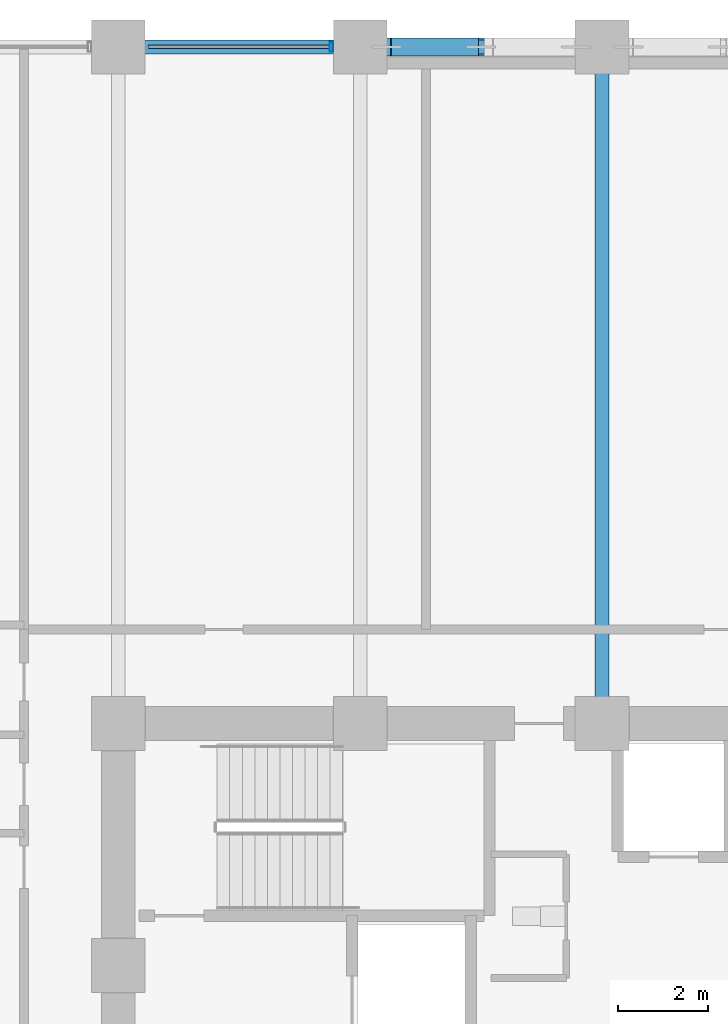
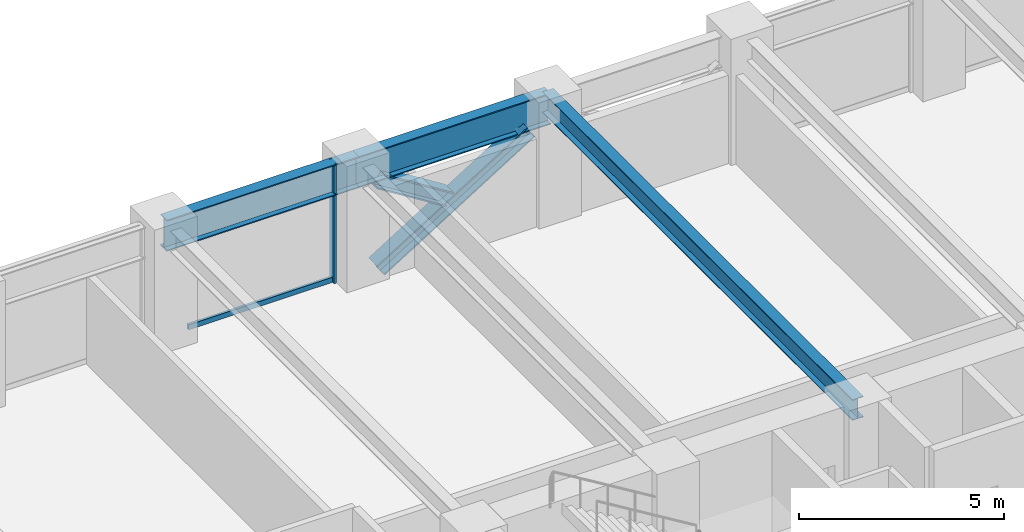
# One storey, part 13 of 27: 4 members, 3 beams, 1 element without a shape of its own.
"""IFC4 building model written with IfcOpenShell, lengths in metres."""

from ifc_helpers import new_model, si_unit, direction, frame, origin, origin_2d, place, context, subcontext, project, spatial, hollow_rectangle, i_section, extrude, material, layer, layer_set, material_profile, profile_set, type_object, element, aggregate, save


model = new_model("IFC4")

# Units and contexts
model_context = context("Model", 3, precision=1e-05, world=origin(), true_north=direction((0.0, 1.0)))
body_context = subcontext(model_context, "Body", "Model", "MODEL_VIEW")
ifc_project = project(units=[si_unit("LENGTHUNIT", "METRE"), si_unit("AREAUNIT", "SQUARE_METRE"), si_unit("VOLUMEUNIT", "CUBIC_METRE"), si_unit("PLANEANGLEUNIT", "RADIAN"), si_unit("MASSUNIT", "GRAM", prefix="KILO")], contexts=[model_context])

# Site, building, storey
site_placement = place(None, origin())
site = spatial("IfcSite", under=ifc_project, at=site_placement, CompositionType="ELEMENT")
building_placement = place(site_placement, origin())
building = spatial("IfcBuilding", under=site, at=building_placement, Name="Surkhivell Harbour Commons", CompositionType="ELEMENT")
storey_placement = place(building_placement, frame((0.0, 0.0, 56.25)))
storey = spatial("IfcBuildingStorey", under=building, at=storey_placement, Name="L14", CompositionType="ELEMENT", Elevation=56.25)

# Beams
ifc_material_1 = material(Name="Steel S355", Category="steel")
ifc_material_profile_1 = material_profile(ifc_material_1, i_section(OverallWidth=0.306884765625, OverallDepth=0.6201171875, WebThickness=0.01416015625, FlangeThickness=0.023681640625, at=origin_2d()), Name="UB610x305x179")
ifc_profile_set_1 = profile_set([ifc_material_profile_1], Name="Steel S355")
beam_type_1 = type_object("IfcBeamType", Name="BM-GRD-610A", PredefinedType="BEAM", material=ifc_profile_set_1)
beam_1_placement = place(storey_placement, frame((0.0, 10.800048828125, 3.260009765625), z_axis=(0.0, 1.0, 0.0), x_axis=(-1.0, 0.0, 0.0)))
element("IfcBeam", 1, at=beam_1_placement, inside=storey, type_object=beam_type_1, Name="L14 Floor Girder (0.0,10.8)", PredefinedType="BEAM", context=body_context, shape_type="SweptSolid", body=[
    extrude(i_section(OverallWidth=0.306884765625, OverallDepth=0.6201171875, WebThickness=0.01416015625, FlangeThickness=0.023681640625, at=origin_2d()), origin(), (0.0, 0.0, 1.0), 15.099853515625),
])
ifc_material_2 = material(Name="Steel S460", Category="steel")
ifc_material_profile_2 = material_profile(ifc_material_2, i_section(OverallWidth=0.30810546875, OverallDepth=0.927001953125, WebThickness=0.01953125, FlangeThickness=0.031982421875, at=origin_2d()), Name="UB914x305x289")
ifc_profile_set_2 = profile_set([ifc_material_profile_2], Name="Steel S460")
beam_type_2 = type_object("IfcBeamType", Name="BM-SPN-914B", PredefinedType="SPANDREL", material=ifc_profile_set_2)
beam_2_placement = place(storey_placement, frame((-10.800048828125, 25.89990234375, 3.1064453125), z_axis=(1.0, 0.0, 0.0), x_axis=(0.0, 1.0, 0.0)))
element("IfcBeam", 2, at=beam_2_placement, inside=storey, type_object=beam_type_2, Name="L14 Tube Spandrel (-10.8,25.9)", PredefinedType="SPANDREL", context=body_context, shape_type="SweptSolid", body=[
    extrude(i_section(OverallWidth=0.30810546875, OverallDepth=0.927001953125, WebThickness=0.01953125, FlangeThickness=0.031982421875, at=origin_2d()), origin(), (0.0, 0.0, 1.0), 5.400146484375),
])
beam_3_placement = place(storey_placement, frame((-5.39990234375, 25.89990234375, 3.1064453125), z_axis=(1.0, 0.0, 0.0), x_axis=(0.0, 1.0, 0.0)))
element("IfcBeam", 3, at=beam_3_placement, inside=storey, type_object=beam_type_2, Name="L14 Tube Spandrel (-5.4,25.9)", PredefinedType="SPANDREL", context=body_context, shape_type="SweptSolid", body=[
    extrude(i_section(OverallWidth=0.30810546875, OverallDepth=0.927001953125, WebThickness=0.01953125, FlangeThickness=0.031982421875, at=origin_2d()), origin(), (0.0, 0.0, 1.0), 5.39990234375),
])

# Curtain wall, members
ifc_material_3 = material(Name="Anodised pale-metal aluminium and insulated glazing", Category="aluminium")
ifc_layer = layer(ifc_material_3, 0.219970703125)
ifc_layer_set = layer_set([ifc_layer], Name="Anodised pale-metal aluminium and insulated glazing")
curtain_wall_type = type_object("IfcCurtainWallType", Name="CW-SYS-Z1", PredefinedType="NOTDEFINED", material=ifc_layer_set)
curtain_wall_placement = place(storey_placement, origin())
curtain_wall = element("IfcCurtainWall", 4, at=curtain_wall_placement, inside=storey, type_object=curtain_wall_type, Name="L14 Curtain Wall CW-L14-E07S2", PredefinedType="NOTDEFINED")
ifc_material_4 = material(Name="Anodised pale-metal aluminium alloy 6063-T6", Category="aluminium")
ifc_material_profile_3 = material_profile(ifc_material_4, hollow_rectangle(XDim=0.074951171875, YDim=0.219970703125, WallThickness=0.00390625, at=origin_2d()), Name="ALU-MULL-75x220")
ifc_profile_set_3 = profile_set([ifc_material_profile_3], Name="Anodised pale-metal aluminium alloy 6063-T6")
member_type_1 = type_object("IfcMemberType", Name="CWM-220", PredefinedType="MULLION", material=ifc_profile_set_3)
member_1_placement = place(storey_placement, frame((-6.03955078125, 25.89990234375, 0.0), z_axis=(0.0, 0.0, 1.0), x_axis=(-1.0, 0.0, 0.0)))
member_1 = element("IfcMember", 5, at=member_1_placement, type_object=member_type_1, Name="CW-Z1 mullion 1", PredefinedType="MULLION", context=body_context, shape_type="SweptSolid", body=[
    extrude(hollow_rectangle(XDim=0.074951171875, YDim=0.219970703125, WallThickness=0.00390625, at=origin_2d()), origin(), (0.0, 0.0, 1.0), 3.570068359375),
])
ifc_material_profile_4 = material_profile(ifc_material_4, hollow_rectangle(XDim=0.074951171875, YDim=0.14990234375, WallThickness=0.00341796875, at=origin_2d()), Name="ALU-TRAN-75x150")
ifc_profile_set_4 = profile_set([ifc_material_profile_4], Name="Anodised pale-metal aluminium alloy 6063-T6")
member_type_2 = type_object("IfcMemberType", Name="CWT-150", PredefinedType="USERDEFINED", material=ifc_profile_set_4)
member_2_placement = place(storey_placement, frame((-6.076904296875, 25.89990234375, 0.074951171875), z_axis=(-1.0, 0.0, 0.0), x_axis=(0.0, -1.0, 0.0)))
member_2 = element("IfcMember", 6, at=member_2_placement, type_object=member_type_2, Name="CW-Z1 transom 1.1", ObjectType="TRANSOM", PredefinedType="USERDEFINED", context=body_context, shape_type="SweptSolid", body=[
    extrude(hollow_rectangle(XDim=0.074951171875, YDim=0.14990234375, WallThickness=0.00341796875, at=origin_2d()), origin(), (0.0, 0.0, 1.0), 4.046142578125),
])
aggregate(curtain_wall, [member_1, member_2])

# Members
ifc_material_profile_5 = material_profile(ifc_material_2, i_section(OverallWidth=0.406005859375, OverallDepth=0.416015625, WebThickness=0.026611328125, FlangeThickness=0.0390625, at=origin_2d()), Name="HD400x382")
ifc_profile_set_5 = profile_set([ifc_material_profile_5], Name="Steel S460")
member_type_3 = type_object("IfcMemberType", Name="MEM-BRC-HD382", PredefinedType="BRACE", material=ifc_profile_set_5)
member_3_placement = place(storey_placement, frame((-4.81494140625, 25.89990234375, 0.008056640625), z_axis=(0.848432685315, 0.0, 0.529303295369), x_axis=(0.0, 1.0, 0.0)))
element("IfcMember", 7, at=member_3_placement, inside=storey, type_object=member_type_3, Name="L14 Perimeter Mega-Brace MB- 01", PredefinedType="BRACE", context=body_context, shape_type="SweptSolid", body=[
    extrude(i_section(OverallWidth=0.406005859375, OverallDepth=0.416015625, WebThickness=0.026611328125, FlangeThickness=0.0390625, at=origin_2d()), origin(), (0.0, 0.0, 1.0), 4.985595703125),
])
member_4_placement = place(storey_placement, frame((-2.869384765625, 25.89990234375, 1.43310546875), z_axis=(-0.848410744023, 0.0, 0.529338463958), x_axis=(0.0, -1.0, 0.0)))
element("IfcMember", 8, at=member_4_placement, inside=storey, type_object=member_type_3, Name="L14 Perimeter Mega-Brace MB- 03", PredefinedType="BRACE", context=body_context, shape_type="SweptSolid", body=[
    extrude(i_section(OverallWidth=0.406005859375, OverallDepth=0.416015625, WebThickness=0.026611328125, FlangeThickness=0.0390625, at=origin_2d()), origin(), (0.0, 0.0, 1.0), 2.293212890625),
])

save(model, "model.ifc")
